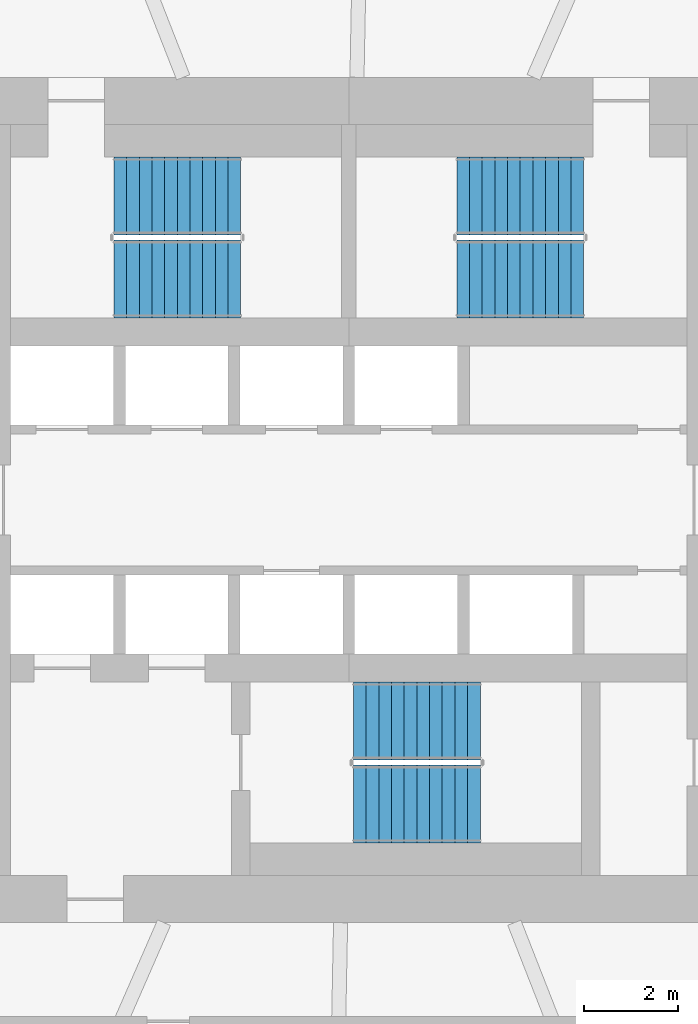
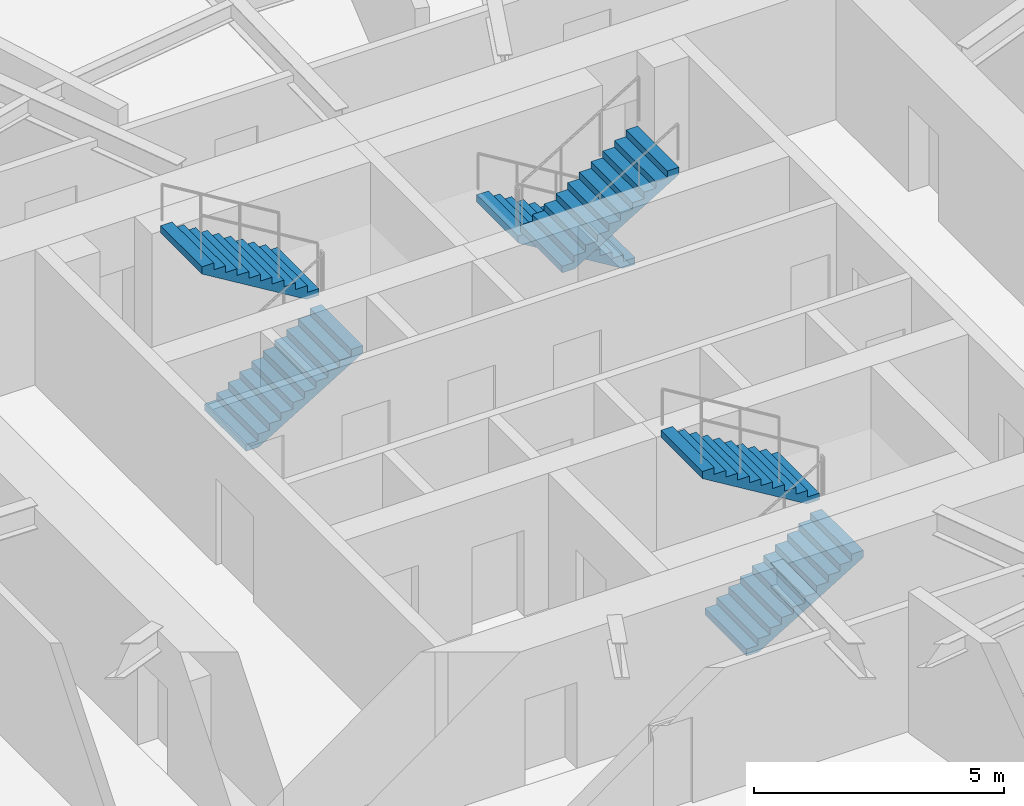
# One storey, part 11 of 14: 6 stair flights, 3 elements without a shape of their own.
"""IFC4 building model written with IfcOpenShell, lengths in metres."""

from ifc_helpers import new_model, si_unit, direction, frame, origin, place, context, subcontext, project, spatial, polyline, outline, extrude, material, type_object, element, aggregate, save


model = new_model("IFC4")

# Units and contexts
model_context = context("Model", 3, precision=1e-05, world=origin(), true_north=direction((0.0, 1.0)))
body_context = subcontext(model_context, "Body", "Model", "MODEL_VIEW")
ifc_project = project(units=[si_unit("LENGTHUNIT", "METRE"), si_unit("AREAUNIT", "SQUARE_METRE"), si_unit("VOLUMEUNIT", "CUBIC_METRE"), si_unit("PLANEANGLEUNIT", "RADIAN"), si_unit("MASSUNIT", "GRAM", prefix="KILO")], contexts=[model_context])

# Site, building, storey
site_placement = place(None, origin())
site = spatial("IfcSite", under=ifc_project, at=site_placement, CompositionType="ELEMENT")
building_placement = place(site_placement, origin())
building = spatial("IfcBuilding", under=site, at=building_placement, Name="Vermilion Reach Broadcast Tower", CompositionType="ELEMENT")
storey_placement = place(building_placement, frame((0.0, 0.0, 143.39990234375)))
storey = spatial("IfcBuildingStorey", under=building, at=storey_placement, Name="L33", CompositionType="ELEMENT", Elevation=143.39990234375)

# Stair, stair flights
ifc_material_1 = material(Name="Concrete C40", Category="concrete")
stair_type = type_object("IfcStairType", Name="Exit stair RC 22 risers 164 mm", PredefinedType="HALF_TURN_STAIR", material=ifc_material_1)
placement = place(storey_placement, origin())
stair_1 = element("IfcStair", 1, at=placement, inside=storey, type_object=stair_type, Name="L33 Exit stair ST1", PredefinedType="HALF_TURN_STAIR")
ifc_material_2 = material(Name="Concrete C40", Category="concrete")
stair_flight_type = type_object("IfcStairFlightType", Name="Exit stair flight RC 11 risers", PredefinedType="STRAIGHT", material=ifc_material_2)
stair_flight_1_placement = place(storey_placement, frame((-11.0, 4.7099609375, 0.0), z_axis=(0.0, 0.0, 1.0), x_axis=(1.0, 0.0, 0.0)))
stair_flight_1 = element("IfcStairFlight", 2, at=stair_flight_1_placement, type_object=stair_flight_type, Name="ST1 flight 1", NumberOfRisers=11, NumberOfTreads=10, PredefinedType="STRAIGHT", RiserHeight=0.163636364, TreadLength=0.27, context=body_context, shape_type="SweptSolid", body=[
    extrude(outline(polyline([(0.0, 0.0), (0.0, 0.16357421875), (0.27001953125, 0.16357421875), (0.27001953125, 0.327392578125), (0.5400390625, 0.327392578125), (0.5400390625, 0.490966796875), (0.81005859375, 0.490966796875), (0.81005859375, 0.654541015625), (1.080078125, 0.654541015625), (1.080078125, 0.818115234375), (1.35009765625, 0.818115234375), (1.35009765625, 0.98193359375), (1.6201171875, 0.98193359375), (1.6201171875, 1.1455078125), (1.889892578125, 1.1455078125), (1.889892578125, 1.30908203125), (2.159912109375, 1.30908203125), (2.159912109375, 1.47265625), (2.429931640625, 1.47265625), (2.429931640625, 1.636474609375), (2.699951171875, 1.636474609375), (2.699951171875, 1.800048828125), (2.699951171875, 1.461181640625), (0.289306640625, 0.0), (0.0, 0.0)])), frame((0.0, 0.830078125, 0.0), z_axis=(0.0, -1.0, 0.0), x_axis=(1.0, 0.0, 0.0)), (0.0, 0.0, 1.0), 1.659912109375),
])
stair_flight_2_placement = place(storey_placement, frame((-8.300048828125, 6.469970703125, 1.800048828125), z_axis=(0.0, 0.0, 1.0), x_axis=(-1.0, 0.0, 0.0)))
stair_flight_2 = element("IfcStairFlight", 3, at=stair_flight_2_placement, type_object=stair_flight_type, Name="ST1 flight 2", NumberOfRisers=11, NumberOfTreads=10, PredefinedType="STRAIGHT", RiserHeight=0.163636364, TreadLength=0.27, context=body_context, shape_type="SweptSolid", body=[
    extrude(outline(polyline([(0.0, 0.0), (0.0, 0.16357421875), (0.27001953125, 0.16357421875), (0.27001953125, 0.327392578125), (0.5400390625, 0.327392578125), (0.5400390625, 0.490966796875), (0.81005859375, 0.490966796875), (0.81005859375, 0.654541015625), (1.080078125, 0.654541015625), (1.080078125, 0.818115234375), (1.35009765625, 0.818115234375), (1.35009765625, 0.98193359375), (1.6201171875, 0.98193359375), (1.6201171875, 1.1455078125), (1.889892578125, 1.1455078125), (1.889892578125, 1.30908203125), (2.159912109375, 1.30908203125), (2.159912109375, 1.47265625), (2.429931640625, 1.47265625), (2.429931640625, 1.636474609375), (2.699951171875, 1.636474609375), (2.699951171875, 1.800048828125), (2.699951171875, 1.461181640625), (0.289306640625, 0.0), (0.0, 0.0)])), frame((0.0, 0.830078125, 0.0), z_axis=(0.0, -1.0, 0.0), x_axis=(1.0, 0.0, 0.0)), (0.0, 0.0, 1.0), 1.659912109375),
])
aggregate(stair_1, [stair_flight_1, stair_flight_2])

stair_2 = element("IfcStair", 4, at=placement, inside=storey, type_object=stair_type, Name="L33 Exit stair ST2", PredefinedType="HALF_TURN_STAIR")
stair_flight_3_placement = place(storey_placement, frame((-1.0, 6.469970703125, 0.0), z_axis=(0.0, 0.0, 1.0), x_axis=(-1.0, 0.0, 0.0)))
stair_flight_3 = element("IfcStairFlight", 5, at=stair_flight_3_placement, type_object=stair_flight_type, Name="ST2 flight 1", NumberOfRisers=11, NumberOfTreads=10, PredefinedType="STRAIGHT", RiserHeight=0.163636364, TreadLength=0.27, context=body_context, shape_type="SweptSolid", body=[
    extrude(outline(polyline([(0.0, 0.0), (0.0, 0.16357421875), (0.27001953125, 0.16357421875), (0.27001953125, 0.327392578125), (0.5400390625, 0.327392578125), (0.5400390625, 0.490966796875), (0.81005859375, 0.490966796875), (0.81005859375, 0.654541015625), (1.080078125, 0.654541015625), (1.080078125, 0.818115234375), (1.35009765625, 0.818115234375), (1.35009765625, 0.98193359375), (1.6201171875, 0.98193359375), (1.6201171875, 1.1455078125), (1.889892578125, 1.1455078125), (1.889892578125, 1.30908203125), (2.159912109375, 1.30908203125), (2.159912109375, 1.47265625), (2.429931640625, 1.47265625), (2.429931640625, 1.636474609375), (2.699951171875, 1.636474609375), (2.699951171875, 1.800048828125), (2.699951171875, 1.461181640625), (0.289306640625, 0.0), (0.0, 0.0)])), frame((0.0, 0.830078125, 0.0), z_axis=(0.0, -1.0, 0.0), x_axis=(1.0, 0.0, 0.0)), (0.0, 0.0, 1.0), 1.659912109375),
])
stair_flight_4_placement = place(storey_placement, frame((-3.699951171875, 4.7099609375, 1.800048828125), z_axis=(0.0, 0.0, 1.0), x_axis=(1.0, 0.0, 0.0)))
stair_flight_4 = element("IfcStairFlight", 6, at=stair_flight_4_placement, type_object=stair_flight_type, Name="ST2 flight 2", NumberOfRisers=11, NumberOfTreads=10, PredefinedType="STRAIGHT", RiserHeight=0.163636364, TreadLength=0.27, context=body_context, shape_type="SweptSolid", body=[
    extrude(outline(polyline([(0.0, 0.0), (0.0, 0.16357421875), (0.27001953125, 0.16357421875), (0.27001953125, 0.327392578125), (0.5400390625, 0.327392578125), (0.5400390625, 0.490966796875), (0.81005859375, 0.490966796875), (0.81005859375, 0.654541015625), (1.080078125, 0.654541015625), (1.080078125, 0.818115234375), (1.35009765625, 0.818115234375), (1.35009765625, 0.98193359375), (1.6201171875, 0.98193359375), (1.6201171875, 1.1455078125), (1.889892578125, 1.1455078125), (1.889892578125, 1.30908203125), (2.159912109375, 1.30908203125), (2.159912109375, 1.47265625), (2.429931640625, 1.47265625), (2.429931640625, 1.636474609375), (2.699951171875, 1.636474609375), (2.699951171875, 1.800048828125), (2.699951171875, 1.461181640625), (0.289306640625, 0.0), (0.0, 0.0)])), frame((0.0, 0.830078125, 0.0), z_axis=(0.0, -1.0, 0.0), x_axis=(1.0, 0.0, 0.0)), (0.0, 0.0, 1.0), 1.659912109375),
])
aggregate(stair_2, [stair_flight_3, stair_flight_4])

stair_3 = element("IfcStair", 7, at=placement, inside=storey, type_object=stair_type, Name="L33 Exit stair ST3", PredefinedType="HALF_TURN_STAIR")
stair_flight_5_placement = place(storey_placement, frame((-5.89990234375, -6.469970703125, 0.0), z_axis=(0.0, 0.0, 1.0), x_axis=(1.0, 0.0, 0.0)))
stair_flight_5 = element("IfcStairFlight", 8, at=stair_flight_5_placement, type_object=stair_flight_type, Name="ST3 flight 1", NumberOfRisers=11, NumberOfTreads=10, PredefinedType="STRAIGHT", RiserHeight=0.163636364, TreadLength=0.27, context=body_context, shape_type="SweptSolid", body=[
    extrude(outline(polyline([(0.0, 0.0), (0.0, 0.16357421875), (0.27001953125, 0.16357421875), (0.27001953125, 0.327392578125), (0.5400390625, 0.327392578125), (0.5400390625, 0.490966796875), (0.81005859375, 0.490966796875), (0.81005859375, 0.654541015625), (1.080078125, 0.654541015625), (1.080078125, 0.818115234375), (1.35009765625, 0.818115234375), (1.35009765625, 0.98193359375), (1.6201171875, 0.98193359375), (1.6201171875, 1.1455078125), (1.889892578125, 1.1455078125), (1.889892578125, 1.30908203125), (2.159912109375, 1.30908203125), (2.159912109375, 1.47265625), (2.429931640625, 1.47265625), (2.429931640625, 1.636474609375), (2.699951171875, 1.636474609375), (2.699951171875, 1.800048828125), (2.699951171875, 1.461181640625), (0.289306640625, 0.0), (0.0, 0.0)])), frame((0.0, 0.830078125, 0.0), z_axis=(0.0, -1.0, 0.0), x_axis=(1.0, 0.0, 0.0)), (0.0, 0.0, 1.0), 1.659912109375),
])
stair_flight_6_placement = place(storey_placement, frame((-3.199951171875, -4.7099609375, 1.800048828125), z_axis=(0.0, 0.0, 1.0), x_axis=(-1.0, 0.0, 0.0)))
stair_flight_6 = element("IfcStairFlight", 9, at=stair_flight_6_placement, type_object=stair_flight_type, Name="ST3 flight 2", NumberOfRisers=11, NumberOfTreads=10, PredefinedType="STRAIGHT", RiserHeight=0.163636364, TreadLength=0.27, context=body_context, shape_type="SweptSolid", body=[
    extrude(outline(polyline([(0.0, 0.0), (0.0, 0.16357421875), (0.27001953125, 0.16357421875), (0.27001953125, 0.327392578125), (0.5400390625, 0.327392578125), (0.5400390625, 0.490966796875), (0.81005859375, 0.490966796875), (0.81005859375, 0.654541015625), (1.080078125, 0.654541015625), (1.080078125, 0.818115234375), (1.35009765625, 0.818115234375), (1.35009765625, 0.98193359375), (1.6201171875, 0.98193359375), (1.6201171875, 1.1455078125), (1.889892578125, 1.1455078125), (1.889892578125, 1.30908203125), (2.159912109375, 1.30908203125), (2.159912109375, 1.47265625), (2.429931640625, 1.47265625), (2.429931640625, 1.636474609375), (2.699951171875, 1.636474609375), (2.699951171875, 1.800048828125), (2.699951171875, 1.461181640625), (0.289306640625, 0.0), (0.0, 0.0)])), frame((0.0, 0.830078125, 0.0), z_axis=(0.0, -1.0, 0.0), x_axis=(1.0, 0.0, 0.0)), (0.0, 0.0, 1.0), 1.659912109375),
])
aggregate(stair_3, [stair_flight_5, stair_flight_6])

save(model, "model.ifc")
